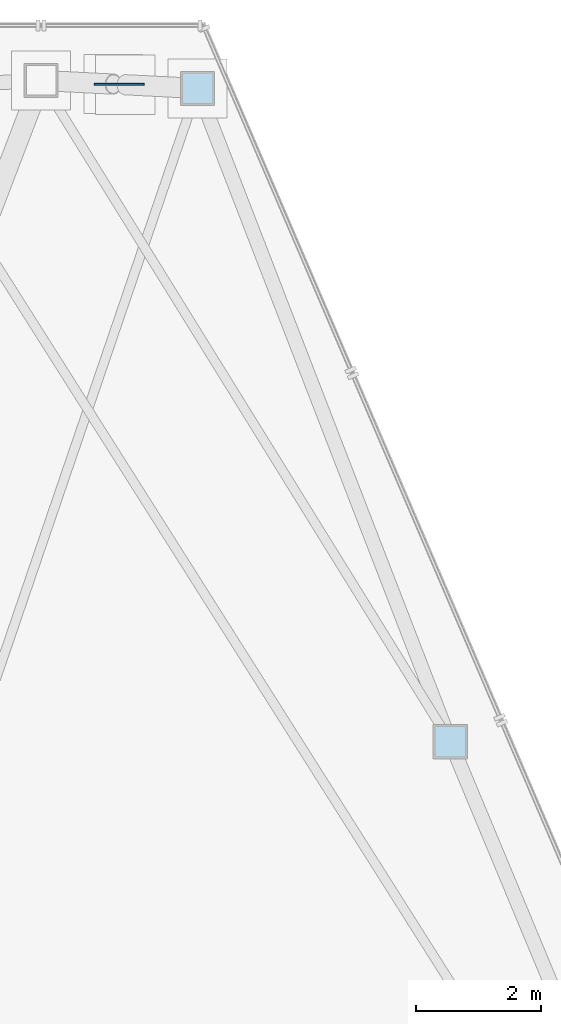
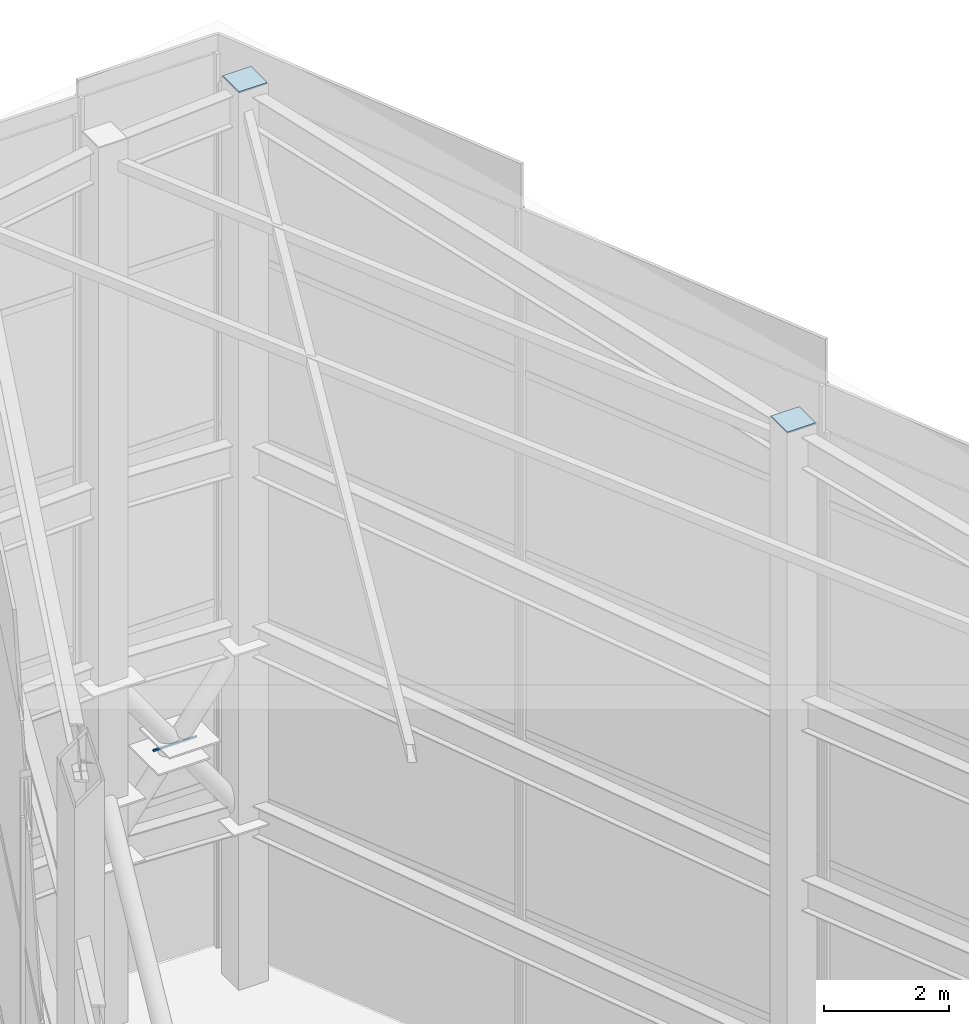
# One storey, part 17 of 17: 3 plates.
"""IFC4 building model written with IfcOpenShell, lengths in metres."""

import ifcopenshell
import ifcopenshell.guid

model = None  # the IFC model being written
_history = None  # IfcOwnerHistory: only IFC2X3 demands one
_inside = {}  # id of a spatial element -> (the spatial element, [elements in it])
_under = {}  # id of a project, library or spatial element -> (it, [spatial elements below it])
_declared = {}  # id of a project -> (the project, [libraries it declares])
_typed = {}  # id of a type object -> (the type object, [elements of that type])
_made_of = {}  # id of a material, layer set ... -> (it, [elements and type objects made of it])


def new_model(schema):
    """Start an empty IFC model of exactly this schema.

    Asked for "IFC4X3", IfcOpenShell would pick the latest addendum, in which some entities
    have other attributes; the version numbers below select the first issue.
    IFC2X3 requires an IfcOwnerHistory on every rooted entity: one is made here for all.
    """
    global model, _history
    if schema == "IFC4X3":
        model = ifcopenshell.file(schema_version=(4, 3, 0, 0))
    else:
        model = ifcopenshell.file(schema=schema)
    _inside.clear()
    _under.clear()
    _declared.clear()
    _typed.clear()
    _made_of.clear()
    _history = None
    if model.schema == "IFC2X3":
        org = make("IfcOrganization", Name="unknown")
        user = make(
            "IfcPersonAndOrganization",
            ThePerson=make("IfcPerson", FamilyName="unknown"),
            TheOrganization=org,
        )
        app = make(
            "IfcApplication",
            ApplicationDeveloper=org,
            Version="unknown",
            ApplicationFullName="unknown",
            ApplicationIdentifier="unknown",
        )
        _history = make(
            "IfcOwnerHistory",
            OwningUser=user,
            OwningApplication=app,
            ChangeAction="ADDED",
            CreationDate=0,
        )
    return model


def make(cls, **values):
    """One entity of the class cls with the attributes given. An attribute that is None is left unset."""
    return model.create_entity(
        cls, **{name: value for name, value in values.items() if value is not None}
    )


def rooted(cls, **values):
    """An entity with a GlobalId (a new one), such as an element, a storey or a relation."""
    return make(cls, GlobalId=ifcopenshell.guid.new(), OwnerHistory=_history, **values)


def si_unit(unit_type, name, prefix=None):
    """IfcSIUnit, for example si_unit("LENGTHUNIT", "METRE", prefix="MILLI")."""
    return make("IfcSIUnit", UnitType=unit_type, Prefix=prefix, Name=name)


def assignment(units):
    """IfcUnitAssignment: the units of a project."""
    return None if units is None else make("IfcUnitAssignment", Units=units)


def point(xyz):
    """IfcCartesianPoint."""
    return None if xyz is None else make("IfcCartesianPoint", Coordinates=xyz)


def direction(xyz):
    """IfcDirection."""
    return None if xyz is None else make("IfcDirection", DirectionRatios=xyz)


def frame(location, z_axis=None, x_axis=None):
    """IfcAxis2Placement3D, a coordinate frame: its origin and axes. An axis left out is left unset."""
    return make(
        "IfcAxis2Placement3D",
        Location=point(location),
        Axis=direction(z_axis),
        RefDirection=direction(x_axis),
    )


def frame_2d(location, x_axis=None):
    """IfcAxis2Placement2D, a coordinate frame in the plane: its origin and x axis."""
    return make(
        "IfcAxis2Placement2D", Location=point(location), RefDirection=direction(x_axis)
    )


def origin():
    """The frame at (0, 0, 0) with its axes left unset."""
    return frame((0.0, 0.0, 0.0))


def origin_2d():
    """The frame at (0, 0) in the plane with its x axis left unset."""
    return frame_2d((0.0, 0.0))


def place(relative_to, where):
    """IfcLocalPlacement: puts the frame where relative to a parent placement (None: the world)."""
    return make(
        "IfcLocalPlacement", PlacementRelTo=relative_to, RelativePlacement=where
    )


def context(
    kind, dimensions, precision=None, world=None, true_north=None, identifier=None
):
    """IfcGeometricRepresentationContext, for example the 3D "Model" context."""
    return make(
        "IfcGeometricRepresentationContext",
        ContextIdentifier=identifier,
        ContextType=kind,
        CoordinateSpaceDimension=dimensions,
        Precision=precision,
        WorldCoordinateSystem=world,
        TrueNorth=true_north,
    )


def subcontext(parent, identifier, kind, view, scale=None):
    """IfcGeometricRepresentationSubContext, for example "Body" below "Model"."""
    return make(
        "IfcGeometricRepresentationSubContext",
        ContextIdentifier=identifier,
        ContextType=kind,
        ParentContext=parent,
        TargetScale=scale,
        TargetView=view,
    )


def project(units=None, contexts=None):
    """IfcProject with its units and contexts."""
    return rooted(
        "IfcProject",
        Name="project",
        RepresentationContexts=contexts,
        UnitsInContext=assignment(units),
    )


def spatial(cls, under=None, at=None, **own):
    """A site, building, storey or space (cls), placed at a placement, below another one or the project."""
    s = rooted(cls, ObjectPlacement=at, **own)
    if under is not None:
        _under.setdefault(under.id(), (under, []))[1].append(s)
    return s


def profile(cls, at=None, kind="AREA", **sizes):
    """A parametric profile (cls). Its sizes go by their IFC names, for example OverallWidth=200.0."""
    return make(cls, ProfileType=kind, Position=at, **sizes)


def rectangle(**sizes):
    """IfcRectangleProfileDef."""
    return profile("IfcRectangleProfileDef", **sizes)


def extrude(swept, where, along, depth):
    """IfcExtrudedAreaSolid: the profile swept, set in the frame where, extruded along a direction by depth."""
    return make(
        "IfcExtrudedAreaSolid",
        SweptArea=swept,
        Position=where,
        ExtrudedDirection=direction(along),
        Depth=depth,
    )


def shape(context_of_items, identifier, shape_type, items):
    """IfcShapeRepresentation: the items that make up one representation, for example the "Body"."""
    return make(
        "IfcShapeRepresentation",
        ContextOfItems=context_of_items,
        RepresentationIdentifier=identifier,
        RepresentationType=shape_type,
        Items=items,
    )


def source(mapping_origin, context_of_items, identifier, shape_type, items):
    """IfcRepresentationMap: a shape defined once, which mapped items show again and again."""
    return make(
        "IfcRepresentationMap",
        MappingOrigin=mapping_origin,
        MappedRepresentation=shape(context_of_items, identifier, shape_type, items),
    )


def transform(
    local_origin,
    x_axis=None,
    y_axis=None,
    z_axis=None,
    scale=None,
    scale2=None,
    scale3=None,
    uniform=True,
):
    """IfcCartesianTransformationOperator3D, or its non-uniform kind. x_axis, y_axis, z_axis: its Axis1, 2, 3."""
    if uniform:
        return make(
            "IfcCartesianTransformationOperator3D",
            Axis1=direction(x_axis),
            Axis2=direction(y_axis),
            LocalOrigin=point(local_origin),
            Scale=scale,
            Axis3=direction(z_axis),
        )
    return make(
        "IfcCartesianTransformationOperator3DnonUniform",
        Axis1=direction(x_axis),
        Axis2=direction(y_axis),
        LocalOrigin=point(local_origin),
        Scale=scale,
        Axis3=direction(z_axis),
        Scale2=scale2,
        Scale3=scale3,
    )


def mapped(mapping_source, mapping_target):
    """IfcMappedItem: shows the shape of a source again, moved by a transform."""
    return make(
        "IfcMappedItem", MappingSource=mapping_source, MappingTarget=mapping_target
    )


def material(Name=None, Category=None):
    """IfcMaterial."""
    return make("IfcMaterial", Name=Name, Category=Category)


def layer(
    of_material, thickness, ventilated=None, Name=None, Category=None, Priority=None
):
    """IfcMaterialLayer: one layer of a wall or slab, of a material (None: an air gap)."""
    return make(
        "IfcMaterialLayer",
        Material=of_material,
        LayerThickness=thickness,
        IsVentilated=ventilated,
        Name=Name,
        Category=Category,
        Priority=Priority,
    )


def layer_set(layers, Name=None):
    """IfcMaterialLayerSet."""
    return make("IfcMaterialLayerSet", MaterialLayers=layers, LayerSetName=Name)


def made_of(thing, what):
    """Note that an element or type object is made of a material, layer set ...; save() writes the relation."""
    if what is not None:
        _made_of.setdefault(what.id(), (what, []))[1].append(thing)
    return thing


def type_object(cls, material=None, **own):
    """A type object (cls), such as IfcWallType, which elements share."""
    return made_of(rooted(cls, **own), material)


def type_shapes(of_type, sources):
    """Give a type object the sources (RepresentationMaps) that its elements show as mapped items."""
    of_type.RepresentationMaps = sources


def element(
    cls,
    number,
    at=None,
    inside=None,
    cuts=None,
    type_object=None,
    material=None,
    context=None,
    identifier="Body",
    shape_type=None,
    held_by="IfcProductDefinitionShape",
    body=None,
    shapes=None,
    **own,
):
    """One element of the class cls, such as IfcWall. Its Tag is "e" and its number.

    at: its placement. inside: the storey or other place that contains it. cuts: it is an
    opening in that element (IfcRelVoidsElement). A single representation is given by context,
    identifier, shape_type and body (its items); several are given by shapes. held_by: the class
    of the entity that holds the representations. save() writes the other relations.
    """
    e = rooted(cls, Tag="e%d" % number, ObjectPlacement=at, **own)
    if body is not None:
        shapes = [shape(context, identifier, shape_type, body)]
    if shapes is not None:
        e.Representation = make(held_by, Representations=shapes)
    if inside is not None:
        _inside.setdefault(inside.id(), (inside, []))[1].append(e)
    if cuts is not None:
        rooted(
            "IfcRelVoidsElement", RelatingBuildingElement=cuts, RelatedOpeningElement=e
        )
    if type_object is not None:
        _typed.setdefault(type_object.id(), (type_object, []))[1].append(e)
    return made_of(e, material)


def aggregate(whole, parts):
    """IfcRelAggregates: a whole, such as a stair, and the parts it consists of."""
    return rooted("IfcRelAggregates", RelatingObject=whole, RelatedObjects=parts)


def save(model, path):
    """Write the relations noted so far, then the file.

    IfcRelAggregates (storeys below a building ...), IfcRelContainedInSpatialStructure (elements
    in a storey), IfcRelDefinesByType, IfcRelAssociatesMaterial and IfcRelDeclares: one each for
    every whole, place, type object, material and project.
    """
    for whole, parts in _under.values():
        aggregate(whole, parts)
    for where, things in _inside.values():
        rooted(
            "IfcRelContainedInSpatialStructure",
            RelatedElements=things,
            RelatingStructure=where,
        )
    for kind, things in _typed.values():
        rooted("IfcRelDefinesByType", RelatedObjects=things, RelatingType=kind)
    for what, things in _made_of.values():
        rooted("IfcRelAssociatesMaterial", RelatedObjects=things, RelatingMaterial=what)
    for by, libraries in _declared.values():
        rooted("IfcRelDeclares", RelatingContext=by, RelatedDefinitions=libraries)
    model.write(path)


model = new_model("IFC4")

# Units and contexts
model_context = context("Model", 3, precision=1e-05, world=origin(), true_north=direction((0.0, 1.0)))
body_context = subcontext(model_context, "Body", "Model", "MODEL_VIEW")
ifc_project = project(units=[si_unit("LENGTHUNIT", "METRE"), si_unit("AREAUNIT", "SQUARE_METRE"), si_unit("VOLUMEUNIT", "CUBIC_METRE"), si_unit("PLANEANGLEUNIT", "RADIAN"), si_unit("MASSUNIT", "GRAM", prefix="KILO")], contexts=[model_context])

# Site, building, storey
site_placement = place(None, origin())
site = spatial("IfcSite", under=ifc_project, at=site_placement, CompositionType="ELEMENT")
building_placement = place(site_placement, origin())
building = spatial("IfcBuilding", under=site, at=building_placement, Name="Varakhsha Concourse Tower", CompositionType="ELEMENT")
storey_placement = place(building_placement, frame((0.0, 0.0, 294.800048828125)))
storey = spatial("IfcBuildingStorey", under=building, at=storey_placement, Name="RF", CompositionType="ELEMENT", Elevation=294.800048828125)

# Plates
ifc_material = material(Name="Structural Steel ASTM A572 Grade 50", Category="steel")
ifc_layer_1 = layer(ifc_material, 0.02490234375, Name="PL-ENDCAP-500")
ifc_layer_set_1 = layer_set([ifc_layer_1], Name="Structural Steel ASTM A572 Grade 50")
plate_type_1 = type_object("IfcPlateType", Name="PL-ENDCAP-500", PredefinedType="USERDEFINED", material=ifc_layer_set_1)
shared_shape_1 = source(origin(), body_context, "Body", "SweptSolid", [
    extrude(rectangle(XDim=0.52001953125, YDim=0.52001953125, at=origin_2d()), origin(), (0.0, 0.0, 1.0), 0.02490234375),
])
type_shapes(plate_type_1, [shared_shape_1])
for number, where, z_axis, x_axis, name in (
    (1, (42.510498046875, 52.48876953125, 17.46728515625), (0.0, 0.0, 1.0), (1.0, 0.0, 0.0), "Hollow Section End Cap EP-CP01-TOP"),
    (2, (46.56494140625, 42.008544921875, 15.77490234375), (0.0, 0.0, 1.0), (1.0, 0.0, 0.0), "Hollow Section End Cap EP-CP18-TOP"),
):
    element("IfcPlate", number, at=place(storey_placement, frame(where, z_axis=z_axis, x_axis=x_axis)), inside=storey, type_object=plate_type_1, Name=name, ObjectType="END PLATE", PredefinedType="USERDEFINED", context=body_context, shape_type="MappedRepresentation", body=[
        mapped(shared_shape_1, transform((0.0, 0.0, 0.0), scale=1.0)),
    ])
ifc_layer_2 = layer(ifc_material, 0.031982421875, Name="PL-GUSSET-800")
ifc_layer_set_2 = layer_set([ifc_layer_2], Name="Structural Steel ASTM A572 Grade 50")
plate_type_2 = type_object("IfcPlateType", Name="PL-GUSSET-800", PredefinedType="USERDEFINED", material=ifc_layer_set_2)
shared_shape_2 = source(origin(), body_context, "Body", "SweptSolid", [
    extrude(rectangle(XDim=0.800048828125, YDim=0.031982421875, at=origin_2d()), origin(), (0.0, 0.0, 1.0), 0.031982421875),
])
type_shapes(plate_type_2, [shared_shape_2])
plate_placement = place(storey_placement, frame((41.25537109375, 52.552734375, 4.93408203125), z_axis=(0.0, 0.0, 1.0), x_axis=(1.0, 0.0, 0.0)))
element("IfcPlate", 3, at=plate_placement, inside=storey, type_object=plate_type_2, Name="Hollow Section End Cap GP-CROWN-X01", ObjectType="GUSSET PLATE", PredefinedType="USERDEFINED", context=body_context, shape_type="MappedRepresentation", body=[
    mapped(shared_shape_2, transform((0.0, 0.0, 0.0), scale=1.0)),
])

save(model, "model.ifc")
